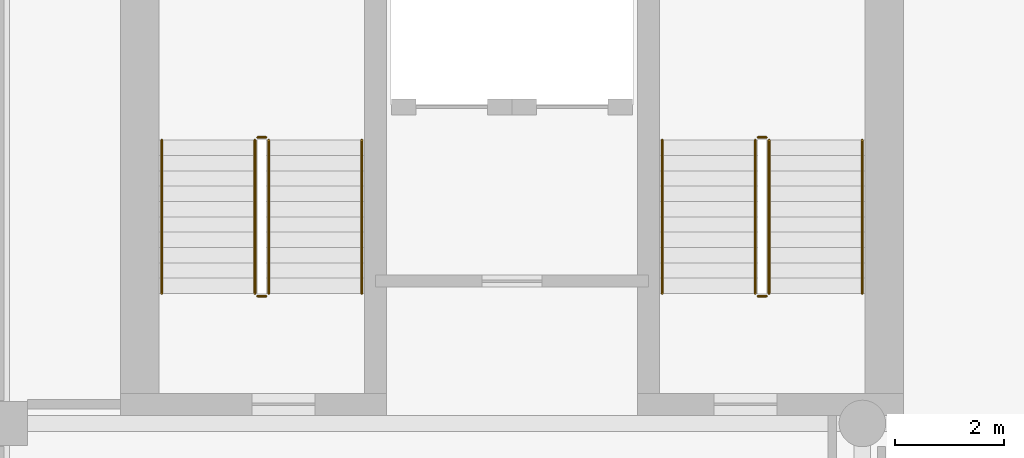
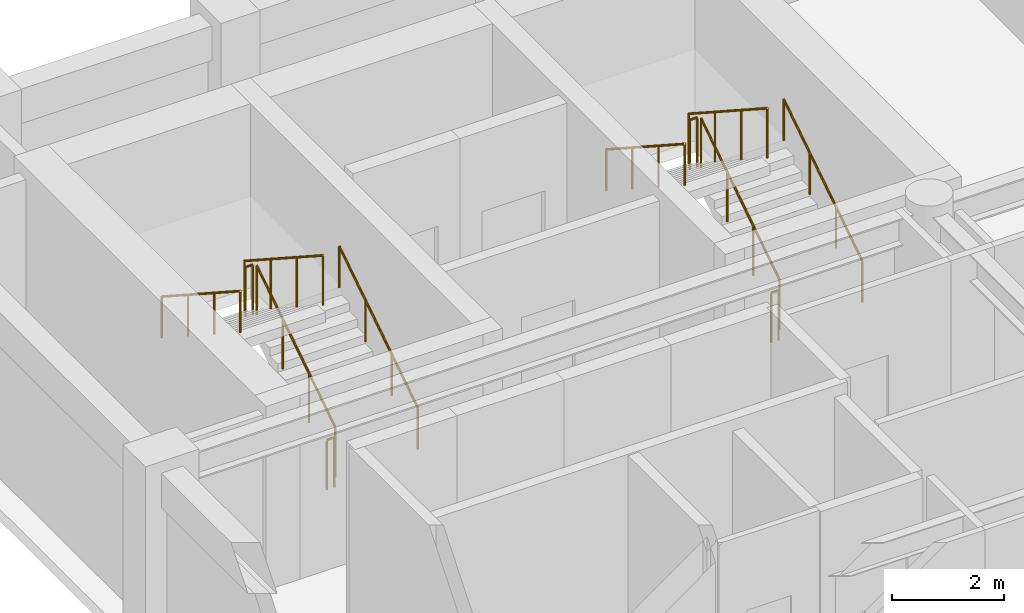
# One storey, part 9 of 10: 12 railings.
"""IFC4 building model written with IfcOpenShell, lengths in metres."""

from ifc_helpers import new_model, si_unit, direction, frame, origin, origin_2d, place, context, subcontext, project, spatial, circle, extrude, material, type_object, element, save


model = new_model("IFC4")

# Units and contexts
model_context = context("Model", 3, precision=1e-05, world=origin(), true_north=direction((0.0, 1.0)))
body_context = subcontext(model_context, "Body", "Model", "MODEL_VIEW")
ifc_project = project(units=[si_unit("LENGTHUNIT", "METRE"), si_unit("AREAUNIT", "SQUARE_METRE"), si_unit("VOLUMEUNIT", "CUBIC_METRE"), si_unit("PLANEANGLEUNIT", "RADIAN"), si_unit("MASSUNIT", "GRAM", prefix="KILO")], contexts=[model_context])

# Site, building, storey
site_placement = place(None, origin())
site = spatial("IfcSite", under=ifc_project, at=site_placement, CompositionType="ELEMENT")
building_placement = place(site_placement, origin())
building = spatial("IfcBuilding", under=site, at=building_placement, Name="Sulina Concourse Tower", CompositionType="ELEMENT")
storey_placement = place(building_placement, frame((0.0, 0.0, 210.60009765625)))
storey = spatial("IfcBuildingStorey", under=building, at=storey_placement, Name="L51", CompositionType="ELEMENT", Elevation=210.60009765625)

# Railings
ifc_material_1 = material(Name="Galvanised steel railing", Category="steel")
railing_type_1 = type_object("IfcRailingType", Name="Core Stair Steel Guardrail 1150mm", PredefinedType="GUARDRAIL", material=ifc_material_1)
railing_1_placement = place(storey_placement, frame((5.554931640625, 36.375, 0.181640625)))
element("IfcRailing", 1, at=railing_1_placement, inside=storey, type_object=railing_type_1, Name="L51 ST-1 stair guard 1", PredefinedType="GUARDRAIL", context=body_context, shape_type="SweptSolid", body=[
    extrude(circle(Radius=0.02392578125, at=origin_2d()), frame((0.0, 0.0, 1.076171875), z_axis=(0.0, 0.838672427954, 0.544636170843), x_axis=(-1.0, 0.0, 0.0)), (0.0, 0.0, 1.0), 3.338623046875),
    extrude(circle(Radius=0.02099609375, at=origin_2d()), origin(), (0.0, 0.0, 1.0), 1.052001953125),
    extrude(circle(Radius=0.02099609375, at=origin_2d()), frame((0.0, 0.933349609375, 0.606201171875)), (0.0, 0.0, 1.0), 1.052001953125),
    extrude(circle(Radius=0.02099609375, at=origin_2d()), frame((0.0, 1.86669921875, 1.212158203125)), (0.0, 0.0, 1.0), 1.052001953125),
    extrude(circle(Radius=0.02099609375, at=origin_2d()), frame((0.0, 2.800048828125, 1.818359375)), (0.0, 0.0, 1.0), 1.052001953125),
])
railing_2_placement = place(storey_placement, frame((5.5048828125, 39.22509765625, 2.0)))
element("IfcRailing", 2, at=railing_2_placement, inside=storey, type_object=railing_type_1, Name="L51 ST-1 stair guard 2", PredefinedType="GUARDRAIL", context=body_context, shape_type="SweptSolid", body=[
    extrude(circle(Radius=0.02392578125, at=origin_2d()), frame((0.0, 0.0, 1.076171875), z_axis=(-1.0, 0.0, 0.0), x_axis=(0.0, -1.0, 0.0)), (0.0, 0.0, 1.0), 0.14990234375),
    extrude(circle(Radius=0.02099609375, at=origin_2d()), origin(), (0.0, 0.0, 1.0), 1.052001953125),
    extrude(circle(Radius=0.02099609375, at=origin_2d()), frame((-0.14990234375, 0.0, 0.0)), (0.0, 0.0, 1.0), 1.052001953125),
])
railing_3_placement = place(storey_placement, frame((5.304931640625, 39.175048828125, 2.181640625)))
element("IfcRailing", 3, at=railing_3_placement, inside=storey, type_object=railing_type_1, Name="L51 ST-1 stair guard 3", PredefinedType="GUARDRAIL", context=body_context, shape_type="SweptSolid", body=[
    extrude(circle(Radius=0.02392578125, at=origin_2d()), frame((0.0, 0.0, 1.076171875), z_axis=(0.0, -0.838672427954, 0.544636170843), x_axis=(1.0, 0.0, 0.0)), (0.0, 0.0, 1.0), 3.338623046875),
    extrude(circle(Radius=0.02099609375, at=origin_2d()), origin(), (0.0, 0.0, 1.0), 1.052001953125),
    extrude(circle(Radius=0.02099609375, at=origin_2d()), frame((0.0, -0.933349609375, 0.606201171875)), (0.0, 0.0, 1.0), 1.052001953125),
    extrude(circle(Radius=0.02099609375, at=origin_2d()), frame((0.0, -1.86669921875, 1.212158203125)), (0.0, 0.0, 1.0), 1.052001953125),
    extrude(circle(Radius=0.02099609375, at=origin_2d()), frame((0.0, -2.800048828125, 1.818359375)), (0.0, 0.0, 1.0), 1.052001953125),
])
railing_4_placement = place(storey_placement, frame((5.5048828125, 36.324951171875, 0.0)))
element("IfcRailing", 4, at=railing_4_placement, inside=storey, type_object=railing_type_1, Name="L51 ST-1 stair guard 4", PredefinedType="GUARDRAIL", context=body_context, shape_type="SweptSolid", body=[
    extrude(circle(Radius=0.02392578125, at=origin_2d()), frame((0.0, 0.0, 1.076171875), z_axis=(-1.0, 0.0, 0.0), x_axis=(0.0, -1.0, 0.0)), (0.0, 0.0, 1.0), 0.14990234375),
    extrude(circle(Radius=0.02099609375, at=origin_2d()), origin(), (0.0, 0.0, 1.0), 1.052001953125),
    extrude(circle(Radius=0.02099609375, at=origin_2d()), frame((-0.14990234375, 0.0, 0.0)), (0.0, 0.0, 1.0), 1.052001953125),
])
railing_5_placement = place(storey_placement, frame((14.695068359375, 36.375, 0.181640625)))
element("IfcRailing", 5, at=railing_5_placement, inside=storey, type_object=railing_type_1, Name="L51 ST-2 stair guard 1", PredefinedType="GUARDRAIL", context=body_context, shape_type="SweptSolid", body=[
    extrude(circle(Radius=0.02392578125, at=origin_2d()), frame((0.0, 0.0, 1.076171875), z_axis=(0.0, 0.838672427954, 0.544636170843), x_axis=(-1.0, 0.0, 0.0)), (0.0, 0.0, 1.0), 3.338623046875),
    extrude(circle(Radius=0.02099609375, at=origin_2d()), origin(), (0.0, 0.0, 1.0), 1.052001953125),
    extrude(circle(Radius=0.02099609375, at=origin_2d()), frame((0.0, 0.933349609375, 0.606201171875)), (0.0, 0.0, 1.0), 1.052001953125),
    extrude(circle(Radius=0.02099609375, at=origin_2d()), frame((0.0, 1.86669921875, 1.212158203125)), (0.0, 0.0, 1.0), 1.052001953125),
    extrude(circle(Radius=0.02099609375, at=origin_2d()), frame((0.0, 2.800048828125, 1.818359375)), (0.0, 0.0, 1.0), 1.052001953125),
])
railing_6_placement = place(storey_placement, frame((14.64501953125, 39.22509765625, 2.0)))
element("IfcRailing", 6, at=railing_6_placement, inside=storey, type_object=railing_type_1, Name="L51 ST-2 stair guard 2", PredefinedType="GUARDRAIL", context=body_context, shape_type="SweptSolid", body=[
    extrude(circle(Radius=0.02392578125, at=origin_2d()), frame((0.0, 0.0, 1.076171875), z_axis=(-1.0, 0.0, 0.0), x_axis=(0.0, -1.0, 0.0)), (0.0, 0.0, 1.0), 0.14990234375),
    extrude(circle(Radius=0.02099609375, at=origin_2d()), origin(), (0.0, 0.0, 1.0), 1.052001953125),
    extrude(circle(Radius=0.02099609375, at=origin_2d()), frame((-0.14990234375, 0.0, 0.0)), (0.0, 0.0, 1.0), 1.052001953125),
])
railing_7_placement = place(storey_placement, frame((14.445068359375, 39.175048828125, 2.181640625)))
element("IfcRailing", 7, at=railing_7_placement, inside=storey, type_object=railing_type_1, Name="L51 ST-2 stair guard 3", PredefinedType="GUARDRAIL", context=body_context, shape_type="SweptSolid", body=[
    extrude(circle(Radius=0.02392578125, at=origin_2d()), frame((0.0, 0.0, 1.076171875), z_axis=(0.0, -0.838672427954, 0.544636170843), x_axis=(1.0, 0.0, 0.0)), (0.0, 0.0, 1.0), 3.338623046875),
    extrude(circle(Radius=0.02099609375, at=origin_2d()), origin(), (0.0, 0.0, 1.0), 1.052001953125),
    extrude(circle(Radius=0.02099609375, at=origin_2d()), frame((0.0, -0.933349609375, 0.606201171875)), (0.0, 0.0, 1.0), 1.052001953125),
    extrude(circle(Radius=0.02099609375, at=origin_2d()), frame((0.0, -1.86669921875, 1.212158203125)), (0.0, 0.0, 1.0), 1.052001953125),
    extrude(circle(Radius=0.02099609375, at=origin_2d()), frame((0.0, -2.800048828125, 1.818359375)), (0.0, 0.0, 1.0), 1.052001953125),
])
railing_8_placement = place(storey_placement, frame((14.64501953125, 36.324951171875, 0.0)))
element("IfcRailing", 8, at=railing_8_placement, inside=storey, type_object=railing_type_1, Name="L51 ST-2 stair guard 4", PredefinedType="GUARDRAIL", context=body_context, shape_type="SweptSolid", body=[
    extrude(circle(Radius=0.02392578125, at=origin_2d()), frame((0.0, 0.0, 1.076171875), z_axis=(-1.0, 0.0, 0.0), x_axis=(0.0, -1.0, 0.0)), (0.0, 0.0, 1.0), 0.14990234375),
    extrude(circle(Radius=0.02099609375, at=origin_2d()), origin(), (0.0, 0.0, 1.0), 1.052001953125),
    extrude(circle(Radius=0.02099609375, at=origin_2d()), frame((-0.14990234375, 0.0, 0.0)), (0.0, 0.0, 1.0), 1.052001953125),
])
ifc_material_2 = material(Name="Galvanised steel railing", Category="steel")
railing_type_2 = type_object("IfcRailingType", Name="Stair Wall Steel Handrail 920mm", PredefinedType="HANDRAIL", material=ifc_material_2)
railing_9_placement = place(storey_placement, frame((7.2548828125, 36.375, 0.181640625)))
element("IfcRailing", 9, at=railing_9_placement, inside=storey, type_object=railing_type_2, Name="L51 ST-1 stair handrail 1", PredefinedType="HANDRAIL", context=body_context, shape_type="SweptSolid", body=[
    extrude(circle(Radius=0.02392578125, at=origin_2d()), frame((0.0, 0.0, 0.89599609375), z_axis=(0.0, 0.838672427954, 0.544636170843), x_axis=(-1.0, 0.0, 0.0)), (0.0, 0.0, 1.0), 3.338623046875),
    extrude(circle(Radius=0.02099609375, at=origin_2d()), origin(), (0.0, 0.0, 1.0), 0.871826171875),
    extrude(circle(Radius=0.02099609375, at=origin_2d()), frame((0.0, 0.933349609375, 0.606201171875)), (0.0, 0.0, 1.0), 0.871826171875),
    extrude(circle(Radius=0.02099609375, at=origin_2d()), frame((0.0, 1.86669921875, 1.212158203125)), (0.0, 0.0, 1.0), 0.871826171875),
    extrude(circle(Radius=0.02099609375, at=origin_2d()), frame((0.0, 2.800048828125, 1.818359375)), (0.0, 0.0, 1.0), 0.871826171875),
])
railing_10_placement = place(storey_placement, frame((3.60498046875, 39.175048828125, 2.181640625)))
element("IfcRailing", 10, at=railing_10_placement, inside=storey, type_object=railing_type_2, Name="L51 ST-1 stair handrail 2", PredefinedType="HANDRAIL", context=body_context, shape_type="SweptSolid", body=[
    extrude(circle(Radius=0.02392578125, at=origin_2d()), frame((0.0, 0.0, 0.89599609375), z_axis=(0.0, -0.838672427954, 0.544636170843), x_axis=(1.0, 0.0, 0.0)), (0.0, 0.0, 1.0), 3.338623046875),
    extrude(circle(Radius=0.02099609375, at=origin_2d()), origin(), (0.0, 0.0, 1.0), 0.871826171875),
    extrude(circle(Radius=0.02099609375, at=origin_2d()), frame((0.0, -0.933349609375, 0.606201171875)), (0.0, 0.0, 1.0), 0.871826171875),
    extrude(circle(Radius=0.02099609375, at=origin_2d()), frame((0.0, -1.86669921875, 1.212158203125)), (0.0, 0.0, 1.0), 0.871826171875),
    extrude(circle(Radius=0.02099609375, at=origin_2d()), frame((0.0, -2.800048828125, 1.818359375)), (0.0, 0.0, 1.0), 0.871826171875),
])
railing_11_placement = place(storey_placement, frame((16.39501953125, 36.375, 0.181640625)))
element("IfcRailing", 11, at=railing_11_placement, inside=storey, type_object=railing_type_2, Name="L51 ST-2 stair handrail 1", PredefinedType="HANDRAIL", context=body_context, shape_type="SweptSolid", body=[
    extrude(circle(Radius=0.02392578125, at=origin_2d()), frame((0.0, 0.0, 0.89599609375), z_axis=(0.0, 0.838672427954, 0.544636170843), x_axis=(-1.0, 0.0, 0.0)), (0.0, 0.0, 1.0), 3.338623046875),
    extrude(circle(Radius=0.02099609375, at=origin_2d()), origin(), (0.0, 0.0, 1.0), 0.871826171875),
    extrude(circle(Radius=0.02099609375, at=origin_2d()), frame((0.0, 0.933349609375, 0.606201171875)), (0.0, 0.0, 1.0), 0.871826171875),
    extrude(circle(Radius=0.02099609375, at=origin_2d()), frame((0.0, 1.86669921875, 1.212158203125)), (0.0, 0.0, 1.0), 0.871826171875),
    extrude(circle(Radius=0.02099609375, at=origin_2d()), frame((0.0, 2.800048828125, 1.818359375)), (0.0, 0.0, 1.0), 0.871826171875),
])
railing_12_placement = place(storey_placement, frame((12.7451171875, 39.175048828125, 2.181640625)))
element("IfcRailing", 12, at=railing_12_placement, inside=storey, type_object=railing_type_2, Name="L51 ST-2 stair handrail 2", PredefinedType="HANDRAIL", context=body_context, shape_type="SweptSolid", body=[
    extrude(circle(Radius=0.02392578125, at=origin_2d()), frame((0.0, 0.0, 0.89599609375), z_axis=(0.0, -0.838672427954, 0.544636170843), x_axis=(1.0, 0.0, 0.0)), (0.0, 0.0, 1.0), 3.338623046875),
    extrude(circle(Radius=0.02099609375, at=origin_2d()), origin(), (0.0, 0.0, 1.0), 0.871826171875),
    extrude(circle(Radius=0.02099609375, at=origin_2d()), frame((0.0, -0.933349609375, 0.606201171875)), (0.0, 0.0, 1.0), 0.871826171875),
    extrude(circle(Radius=0.02099609375, at=origin_2d()), frame((0.0, -1.86669921875, 1.212158203125)), (0.0, 0.0, 1.0), 0.871826171875),
    extrude(circle(Radius=0.02099609375, at=origin_2d()), frame((0.0, -2.800048828125, 1.818359375)), (0.0, 0.0, 1.0), 0.871826171875),
])

save(model, "model.ifc")
